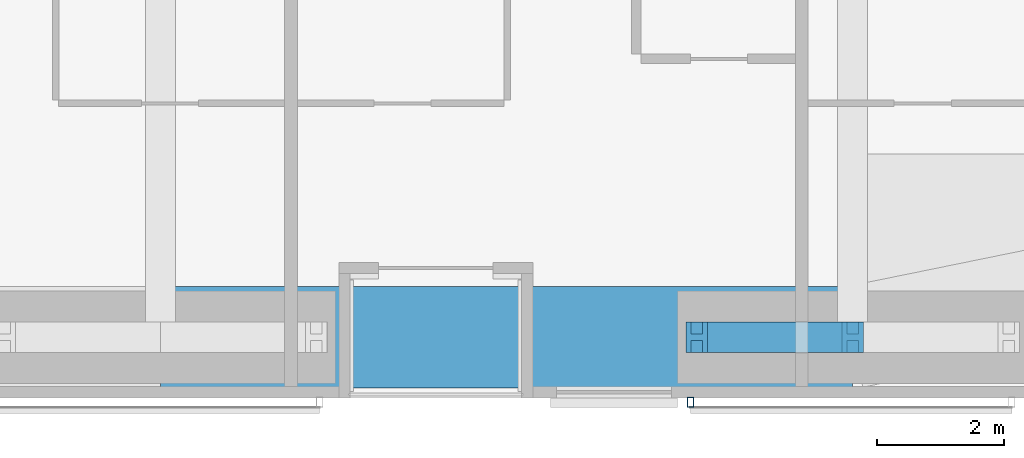
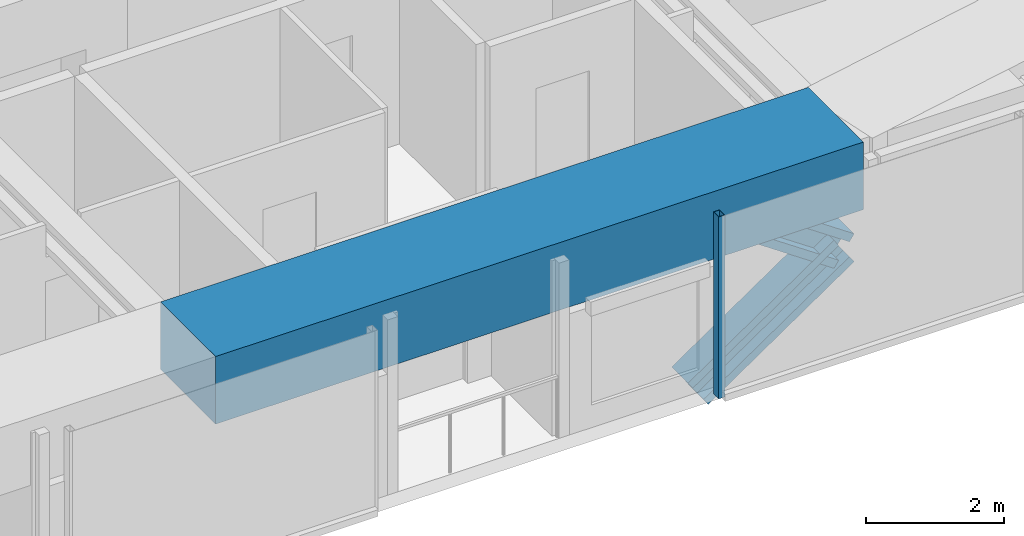
# One storey, part 5 of 23: 3 members, 1 beam, 1 element without a shape of its own.
"""IFC4 building model written with IfcOpenShell, lengths in metres."""

from ifc_helpers import new_model, si_unit, direction, frame, origin, origin_2d, place, context, subcontext, project, spatial, rectangle, hollow_rectangle, i_section, extrude, material, material_profile, profile_set, type_object, element, aggregate, save


model = new_model("IFC4")

# Units and contexts
model_context = context("Model", 3, precision=1e-05, world=origin(), true_north=direction((0.0, 1.0)))
body_context = subcontext(model_context, "Body", "Model", "MODEL_VIEW")
ifc_project = project(units=[si_unit("LENGTHUNIT", "METRE"), si_unit("AREAUNIT", "SQUARE_METRE"), si_unit("VOLUMEUNIT", "CUBIC_METRE"), si_unit("PLANEANGLEUNIT", "RADIAN"), si_unit("MASSUNIT", "GRAM", prefix="KILO")], contexts=[model_context])

# Site, building, storey
site_placement = place(None, origin())
site = spatial("IfcSite", under=ifc_project, at=site_placement, CompositionType="ELEMENT")
building_placement = place(site_placement, origin())
building = spatial("IfcBuilding", under=site, at=building_placement, Name="Jalousie Tower", CompositionType="ELEMENT")
storey_placement = place(building_placement, frame((0.0, 0.0, 88.10009765625)))
storey = spatial("IfcBuildingStorey", under=building, at=storey_placement, Name="L23", CompositionType="ELEMENT", Elevation=88.10009765625)

# Members
ifc_material_1 = material(Name="Steel ASTM A992 Grade 50", Category="steel")
ifc_material_profile_1 = material_profile(ifc_material_1, i_section(OverallWidth=0.4775390625, OverallDepth=0.599365234375, WebThickness=0.10009765625, FlangeThickness=0.139892578125, at=origin_2d()), Name="W14X873")
ifc_profile_set_1 = profile_set([ifc_material_profile_1], Name="Steel ASTM A992 Grade 50")
member_type_1 = type_object("IfcMemberType", Name="PERIMETER BRACE W14X873", PredefinedType="BRACE", material=ifc_profile_set_1)
for number, where, z_axis, x_axis, name in (
    (1, (36.175048828125, 0.949951171875, -0.60009765625), (0.825500916831, 0.0, 0.564400776321), (0.0, 1.0, 0.0), "Perimeter brace 04 L23 part 1"),
    (2, (38.625, 0.949951171875, 1.074951171875), (-0.825500916831, 0.0, 0.564400776321), (0.0, -1.0, 0.0), "Perimeter brace 04 L23 part 4"),
):
    element("IfcMember", number, at=place(storey_placement, frame(where, z_axis=z_axis, x_axis=x_axis)), inside=storey, type_object=member_type_1, Name=name, PredefinedType="BRACE", context=body_context, shape_type="SweptSolid", body=[
        extrude(i_section(OverallWidth=0.4775390625, OverallDepth=0.599365234375, WebThickness=0.10009765625, FlangeThickness=0.139892578125, at=origin_2d()), origin(), (0.0, 0.0, 1.0), 2.9677734375),
    ])

# Beam
ifc_material_2 = material(Name="Concrete f'c 40 MPa", Category="concrete")
ifc_material_profile_2 = material_profile(ifc_material_2, rectangle(XDim=1.60009765625, YDim=1.199951171875, at=origin_2d()), Name="RC 1600x1200")
ifc_profile_set_2 = profile_set([ifc_material_profile_2], Name="Concrete f'c 40 MPa")
beam_type = type_object("IfcBeamType", Name="RC BEAM 1600x1200", PredefinedType="BEAM", material=ifc_profile_set_2)
beam_placement = place(storey_placement, frame((27.75, 0.949951171875, 2.75), z_axis=(1.0, 0.0, 0.0), x_axis=(0.0, 1.0, 0.0)))
element("IfcBeam", 3, at=beam_placement, inside=storey, type_object=beam_type, Name="Edge band beam 03-04 under L24", PredefinedType="BEAM", context=body_context, shape_type="SweptSolid", body=[
    extrude(rectangle(XDim=1.60009765625, YDim=1.199951171875, at=origin_2d()), origin(), (0.0, 0.0, 1.0), 10.875),
])

# Curtain wall, member
ifc_material_3 = material(Name="Perforated aluminium sheet", Category="aluminium")
curtain_wall_type = type_object("IfcCurtainWallType", Name="SOLAR SCREEN SS-1", PredefinedType="USERDEFINED", material=ifc_material_3)
curtain_wall_placement = place(storey_placement, origin())
curtain_wall = element("IfcCurtainWall", 4, at=curtain_wall_placement, inside=storey, type_object=curtain_wall_type, Name="Solar screen L23", ObjectType="SOLAR SCREEN SS-1", PredefinedType="USERDEFINED")
ifc_material_4 = material(Name="Steel ASTM A500 Grade C", Category="steel")
ifc_material_profile_3 = material_profile(ifc_material_4, hollow_rectangle(XDim=0.1015625, YDim=0.15234375, WallThickness=0.00634765625, at=origin_2d()), Name="HSS6X4X1/4")
ifc_profile_set_3 = profile_set([ifc_material_profile_3], Name="Steel ASTM A500 Grade C")
member_type_2 = type_object("IfcMemberType", Name="SOLAR SCREEN SS-1 MULLION", PredefinedType="MULLION", material=ifc_profile_set_3)
member_placement = place(storey_placement, frame((36.074951171875, -0.0712890625, -0.1201171875), z_axis=(0.0, 0.0, 1.0), x_axis=(1.0, 0.0, 0.0)))
member = element("IfcMember", 5, at=member_placement, type_object=member_type_2, Name="SS1 post 1", PredefinedType="MULLION", context=body_context, shape_type="SweptSolid", body=[
    extrude(hollow_rectangle(XDim=0.1015625, YDim=0.15234375, WallThickness=0.00634765625, at=origin_2d()), origin(), (0.0, 0.0, 1.0), 3.22998046875),
])
aggregate(curtain_wall, [member])

save(model, "model.ifc")
